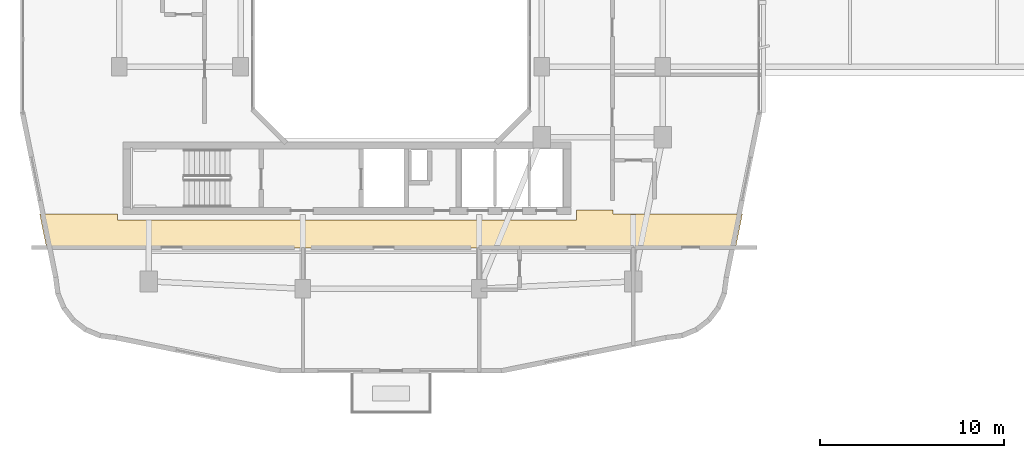
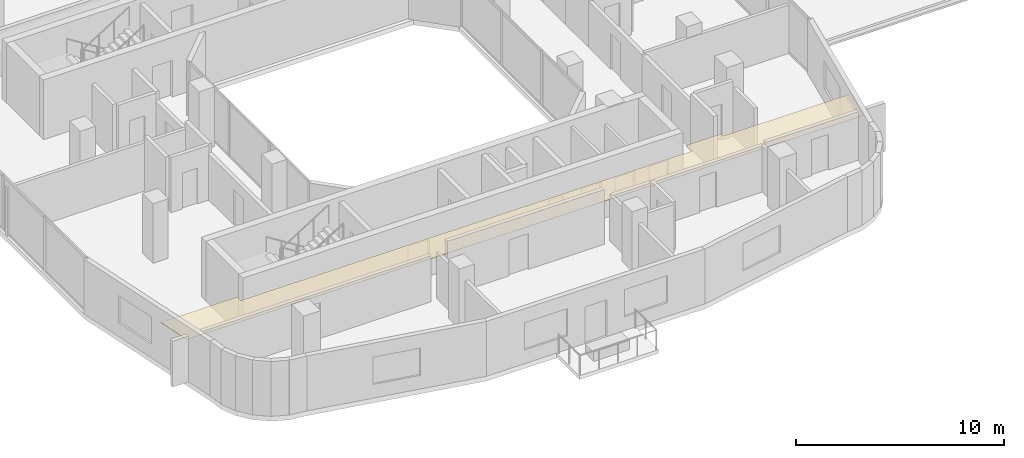
# One storey, part 19 of 22: 1 covering.
"""IFC4 building model written with IfcOpenShell, lengths in metres."""

from ifc_helpers import new_model, si_unit, derived_unit, direction, frame, origin, place, context, subcontext, project, spatial, polyline, outline, extrude, material, layer, layer_set, type_object, element, save


model = new_model("IFC4")

# Units and contexts
model_context = context("Model", 3, precision=1e-05, world=origin(), true_north=direction((0.0, 1.0)))
body_context = subcontext(model_context, "Body", "Model", "MODEL_VIEW")
ifc_project = project(units=[si_unit("LENGTHUNIT", "METRE"), si_unit("AREAUNIT", "SQUARE_METRE"), si_unit("VOLUMEUNIT", "CUBIC_METRE"), si_unit("PLANEANGLEUNIT", "RADIAN"), si_unit("MASSUNIT", "GRAM", prefix="KILO"), derived_unit("THERMALTRANSMITTANCEUNIT", [(si_unit("POWERUNIT", "WATT"), 1), (si_unit("LENGTHUNIT", "METRE"), -2), (si_unit("THERMODYNAMICTEMPERATUREUNIT", "KELVIN"), -1)])], contexts=[model_context])

# Site, building, storey
site_placement = place(None, origin())
site = spatial("IfcSite", under=ifc_project, at=site_placement, CompositionType="ELEMENT")
building_placement = place(site_placement, origin())
building = spatial("IfcBuilding", under=site, at=building_placement, Name="Kivonza Crest Hotel", CompositionType="ELEMENT")
storey_placement = place(building_placement, frame((0.0, 0.0, 124.0)))
storey = spatial("IfcBuildingStorey", under=building, at=storey_placement, Name="L33", CompositionType="ELEMENT", Elevation=124.0)

# Covering
ifc_material = material(Name="Mineral-fibre acoustic ceiling tile", Category="gypsum")
ifc_layer = layer(ifc_material, 0.02490234375)
ifc_layer_set = layer_set([ifc_layer], Name="Mineral-fibre acoustic ceiling tile")
covering_type = type_object("IfcCoveringType", Name="CV-CEIL-ACOU", PredefinedType="CEILING", material=ifc_layer_set)
covering_placement = place(storey_placement, frame((0.0, 0.0, 2.449951171875)))
element("IfcCovering", 1, at=covering_placement, inside=storey, type_object=covering_type, Name="L33 Hotel South Guest Corridor suspended ceiling", PredefinedType="CEILING", context=body_context, shape_type="SweptSolid", body=[
    extrude(outline(polyline([(33.090087890625, 13.47998046875), (33.090087890625, 13.68994140625), (31.10009765625, 13.68994140625), (31.10009765625, 13.139892578125), (6.10009765625, 13.139892578125), (6.10009765625, 13.47998046875), (1.85791015625, 13.47998046875), (2.235107421875, 11.610107421875), (39.764892578125, 11.610107421875), (40.14208984375, 13.47998046875), (33.090087890625, 13.47998046875)])), origin(), (0.0, 0.0, 1.0), 0.025146484375),
])

save(model, "model.ifc")
